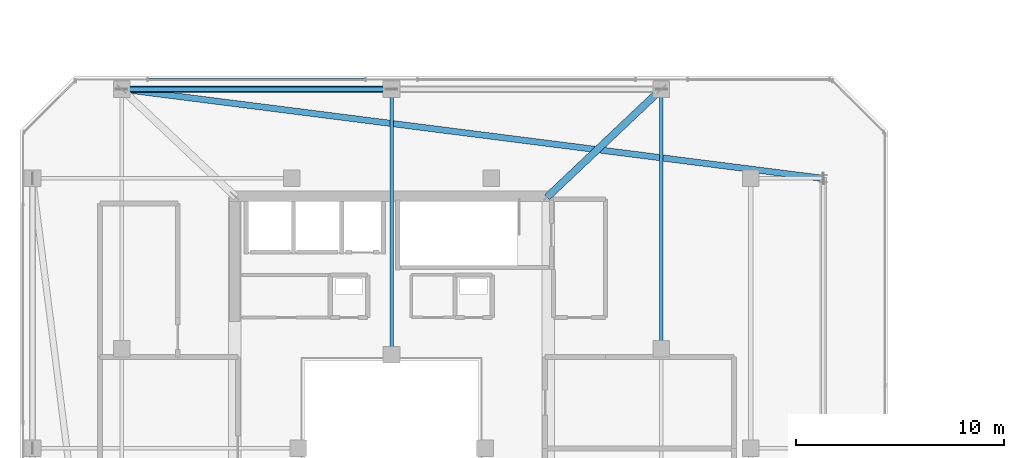
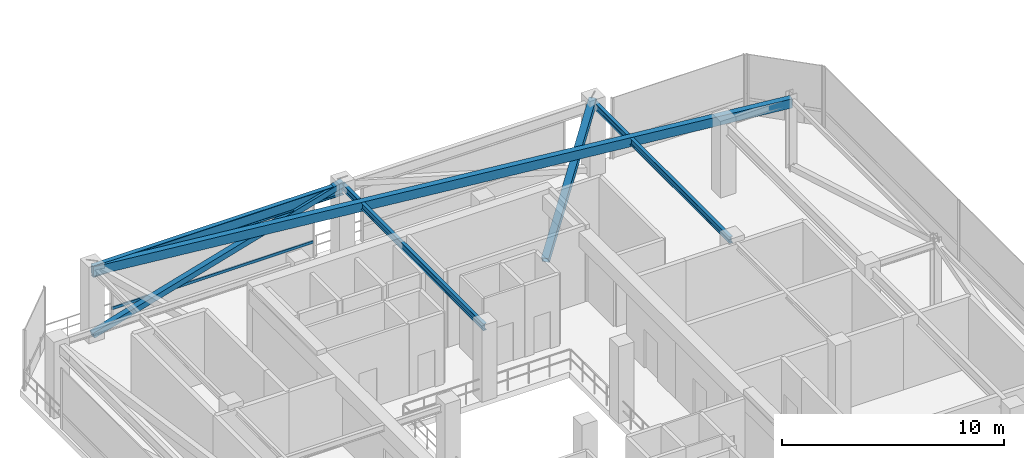
# One storey, part 21 of 47: 4 beams, 3 members, 1 element without a shape of its own.
"""IFC4 building model written with IfcOpenShell, lengths in metres."""

from ifc_helpers import new_model, si_unit, direction, frame, origin, origin_2d, place, context, subcontext, project, spatial, hollow_rectangle, i_section, extrude, material, material_profile, profile_set, type_object, element, aggregate, save


model = new_model("IFC4")

# Units and contexts
model_context = context("Model", 3, precision=1e-05, world=origin(), true_north=direction((0.0, 1.0)))
body_context = subcontext(model_context, "Body", "Model", "MODEL_VIEW")
ifc_project = project(units=[si_unit("LENGTHUNIT", "METRE"), si_unit("AREAUNIT", "SQUARE_METRE"), si_unit("VOLUMEUNIT", "CUBIC_METRE"), si_unit("PLANEANGLEUNIT", "RADIAN"), si_unit("MASSUNIT", "GRAM", prefix="KILO")], contexts=[model_context])

# Site, building, storey
site_placement = place(None, origin())
site = spatial("IfcSite", under=ifc_project, at=site_placement, CompositionType="ELEMENT")
building_placement = place(site_placement, origin())
building = spatial("IfcBuilding", under=site, at=building_placement, Name="Thornwick Lancets Civic Towers", CompositionType="ELEMENT")
storey_placement = place(building_placement, frame((0.0, 0.0, 279.89990234375)))
storey = spatial("IfcBuildingStorey", under=building, at=storey_placement, Name="C01", CompositionType="ELEMENT", Elevation=279.89990234375)

# Beams
ifc_material_1 = material(Name="Steel S355JR", Category="steel")
ifc_material_profile_1 = material_profile(ifc_material_1, i_section(OverallWidth=0.230224609375, OverallDepth=0.6171875, WebThickness=0.01318359375, FlangeThickness=0.022216796875, FilletRadius=0.0126953125, at=origin_2d()), Name="UKB 610x229x140")
ifc_profile_set_1 = profile_set([ifc_material_profile_1], Name="Steel S355JR")
beam_type_1 = type_object("IfcBeamType", Name="BM_GIRD_610_140", PredefinedType="BEAM", material=ifc_profile_set_1)
beam_1_placement = place(storey_placement, frame((12.5, 44.300048828125, 3.631591796875), z_axis=(1.0, 0.0, 0.0), x_axis=(0.0, 1.0, 0.0)))
element("IfcBeam", 1, at=beam_1_placement, inside=storey, type_object=beam_type_1, Name="BM-SPINE-C01-A-6-7", PredefinedType="BEAM", context=body_context, shape_type="SweptSolid", body=[
    extrude(i_section(OverallWidth=0.230224609375, OverallDepth=0.6171875, WebThickness=0.01318359375, FlangeThickness=0.022216796875, FilletRadius=0.0126953125, at=origin_2d()), origin(), (0.0, 0.0, 1.0), 13.0),
])
ifc_material_profile_2 = material_profile(ifc_material_1, i_section(OverallWidth=0.173095703125, OverallDepth=0.36328125, WebThickness=0.009033203125, FlangeThickness=0.015625, FilletRadius=0.01025390625, at=origin_2d()), Name="UKB 356x171x67")
ifc_profile_set_2 = profile_set([ifc_material_profile_2], Name="Steel S355JR")
beam_type_2 = type_object("IfcBeamType", Name="BM_JOIST_356_67", PredefinedType="JOIST", material=ifc_profile_set_2)
beam_2_placement = place(storey_placement, frame((25.5, 31.5, 3.75830078125), z_axis=(0.0, 1.0, 0.0), x_axis=(-1.0, 0.0, 0.0)))
element("IfcBeam", 2, at=beam_2_placement, inside=storey, type_object=beam_type_2, Name="BM-RADIN-C01-A08", PredefinedType="JOIST", context=body_context, shape_type="SweptSolid", body=[
    extrude(i_section(OverallWidth=0.173095703125, OverallDepth=0.36328125, WebThickness=0.009033203125, FlangeThickness=0.015625, FilletRadius=0.01025390625, at=origin_2d()), origin(), (0.0, 0.0, 1.0), 12.800048828125),
])
beam_3_placement = place(storey_placement, frame((38.5, 31.8798828125, 3.75830078125), z_axis=(0.0, 1.0, 0.0), x_axis=(-1.0, 0.0, 0.0)))
element("IfcBeam", 3, at=beam_3_placement, inside=storey, type_object=beam_type_2, Name="BM-RADIN-C01-A09", PredefinedType="JOIST", context=body_context, shape_type="SweptSolid", body=[
    extrude(i_section(OverallWidth=0.173095703125, OverallDepth=0.36328125, WebThickness=0.009033203125, FlangeThickness=0.015625, FilletRadius=0.01025390625, at=origin_2d()), origin(), (0.0, 0.0, 1.0), 12.420166015625),
])
ifc_material_2 = material(Name="Steel S460M", Category="steel")
ifc_material_profile_3 = material_profile(ifc_material_2, hollow_rectangle(XDim=0.300048828125, YDim=0.5, WallThickness=0.02001953125, at=origin_2d()), Name="RHS 500x300x20")
ifc_profile_set_3 = profile_set([ifc_material_profile_3], Name="Steel S460M")
beam_type_3 = type_object("IfcBeamType", Name="BM_RING_RHS500", PredefinedType="BEAM", material=ifc_profile_set_3)
beam_4_placement = place(storey_placement, frame((46.300048828125, 40.0, 3.690185546875), z_axis=(-0.992004437051, 0.126202998662, 0.0), x_axis=(-0.126202998662, -0.992004437051, 0.0)))
element("IfcBeam", 4, at=beam_4_placement, inside=storey, type_object=beam_type_3, Name="BM-CHAMF-C01-A-C1", PredefinedType="BEAM", context=body_context, shape_type="SweptSolid", body=[
    extrude(hollow_rectangle(XDim=0.300048828125, YDim=0.5, WallThickness=0.02001953125, at=origin_2d()), origin(), (0.0, 0.0, 1.0), 34.072509765625),
])

# Curtain wall, member
ifc_material_3 = material(Name="Crown ring acoustic-louvre and glazing screen wall", Category="glass")
curtain_wall_type = type_object("IfcCurtainWallType", Name="CW_SYS_07", PredefinedType="NOTDEFINED", material=ifc_material_3)
curtain_wall_placement = place(storey_placement, origin())
curtain_wall = element("IfcCurtainWall", 5, at=curtain_wall_placement, inside=storey, type_object=curtain_wall_type, Name="C01 Curtain Wall CW-C01-A-E4-S3", PredefinedType="NOTDEFINED")
ifc_material_4 = material(Name="Thermally broken bronze aluminium S355", Category="steel")
ifc_material_profile_4 = material_profile(ifc_material_4, hollow_rectangle(XDim=0.074951171875, YDim=0.14990234375, WallThickness=0.0048828125, at=origin_2d()), Name="RHS 150x75x5")
ifc_profile_set_4 = profile_set([ifc_material_profile_4], Name="Thermally broken bronze aluminium S355")
member_type_1 = type_object("IfcMemberType", Name="CW_TRN_150", PredefinedType="USERDEFINED", material=ifc_profile_set_4)
member_1_placement = place(storey_placement, frame((24.22998046875, 44.7646484375, 0.85009765625), z_axis=(-1.0, 0.0, 0.0), x_axis=(0.0, -1.0, 0.0)))
member_1 = element("IfcMember", 6, at=member_1_placement, type_object=member_type_1, Name="CW-C01-A-E4-S3 Transom 0", ObjectType="TRANSOM", PredefinedType="USERDEFINED", context=body_context, shape_type="SweptSolid", body=[
    extrude(hollow_rectangle(XDim=0.074951171875, YDim=0.14990234375, WallThickness=0.0048828125, at=origin_2d()), origin(), (0.0, 0.0, 1.0), 10.4599609375),
])
aggregate(curtain_wall, [member_1])

# Members
ifc_material_profile_5 = material_profile(ifc_material_2, hollow_rectangle(XDim=0.300048828125, YDim=0.300048828125, WallThickness=0.01611328125, at=origin_2d()), Name="SHS 300x300x16")
ifc_profile_set_5 = profile_set([ifc_material_profile_5], Name="Steel S460M")
member_type_2 = type_object("IfcMemberType", Name="MEM_BELT_SHS300", PredefinedType="BRACE", material=ifc_profile_set_5)
member_2_placement = place(storey_placement, frame((12.5, 44.300048828125, 0.150146484375), z_axis=(0.960032302388, 0.0, 0.279889225178), x_axis=(0.0, 1.0, 0.0)))
element("IfcMember", 7, at=member_2_placement, inside=storey, type_object=member_type_2, Name="C01 Belt Truss Diagonal A-S2-1", PredefinedType="BRACE", context=body_context, shape_type="SweptSolid", body=[
    extrude(hollow_rectangle(XDim=0.300048828125, YDim=0.300048828125, WallThickness=0.01611328125, at=origin_2d()), origin(), (0.0, 0.0, 1.0), 13.541259765625),
])
ifc_material_profile_6 = material_profile(ifc_material_2, hollow_rectangle(XDim=0.35009765625, YDim=0.35009765625, WallThickness=0.01611328125, at=origin_2d()), Name="SHS 350x350x16")
ifc_profile_set_6 = profile_set([ifc_material_profile_6], Name="Steel S460M")
member_type_3 = type_object("IfcMemberType", Name="MEM_OUTRIG_SHS350", PredefinedType="BRACE", material=ifc_profile_set_6)
member_3_placement = place(storey_placement, frame((33.050048828125, 39.14990234375, 0.150146484375), z_axis=(0.648664116628, 0.612980761558, 0.451098048942), x_axis=(-0.686832880872, 0.726815378038, 0.0)))
element("IfcMember", 8, at=member_3_placement, inside=storey, type_object=member_type_3, Name="C01 Outrigger Brace A-3", PredefinedType="BRACE", context=body_context, shape_type="SweptSolid", body=[
    extrude(hollow_rectangle(XDim=0.35009765625, YDim=0.35009765625, WallThickness=0.01611328125, at=origin_2d()), origin(), (0.0, 0.0, 1.0), 8.40185546875),
])

save(model, "model.ifc")
